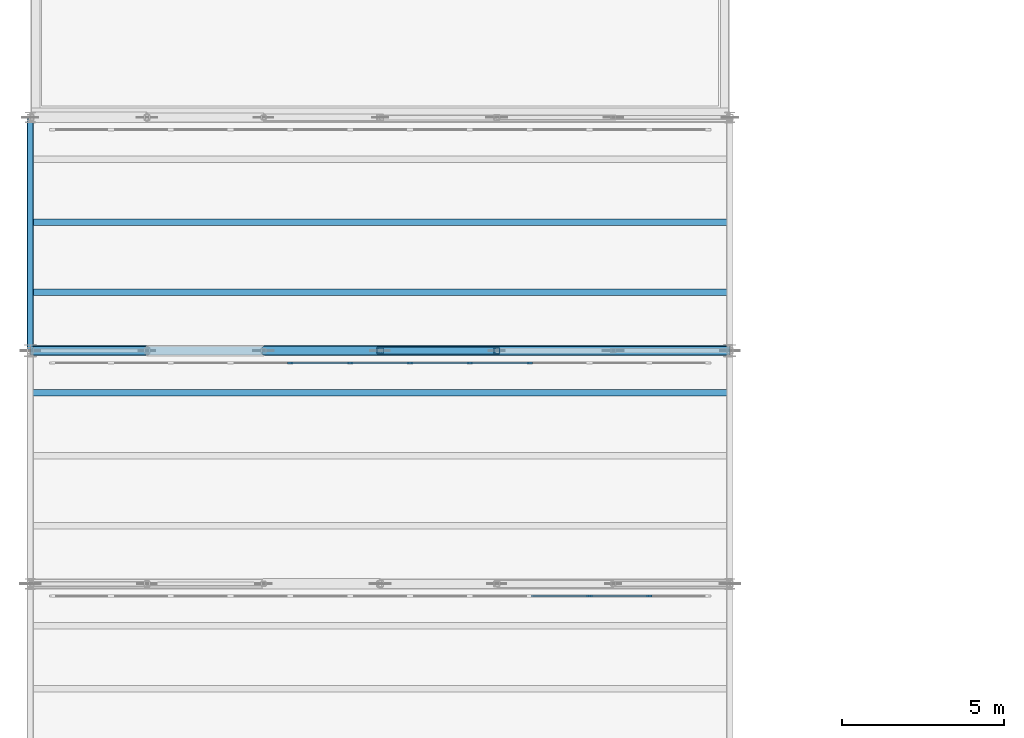
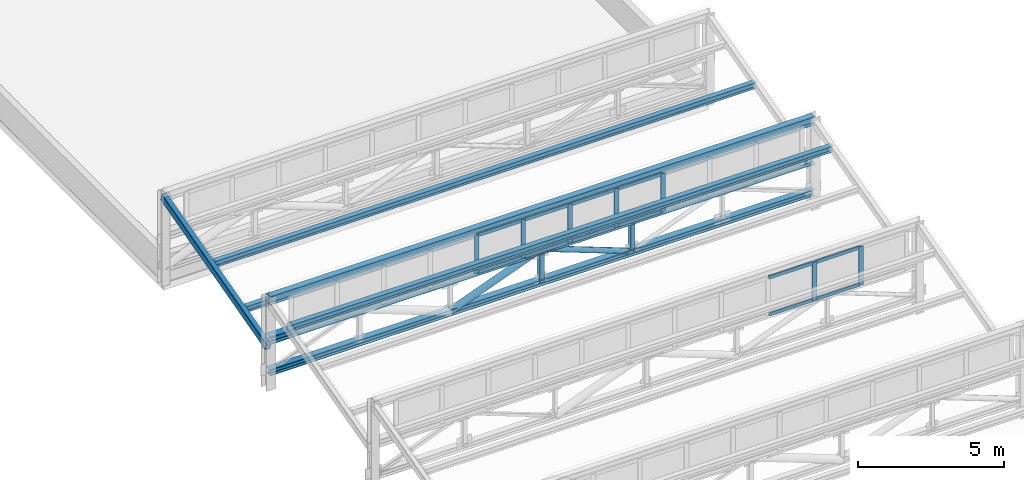
# One storey, part 17 of 55: 25 members, 5 beams, 2 elements without a shape of their own.
"""IFC4 building model written with IfcOpenShell, lengths in metres."""

from ifc_helpers import new_model, si_unit, direction, frame, origin, origin_2d, place, context, subcontext, project, spatial, rectangle, hollow_rectangle, hollow_circle, i_section, extrude, material, layer, layer_set, material_profile, profile_set, type_object, element, aggregate, save


model = new_model("IFC4")

# Units and contexts
model_context = context("Model", 3, precision=1e-05, world=origin(), true_north=direction((0.0, 1.0)))
body_context = subcontext(model_context, "Body", "Model", "MODEL_VIEW")
ifc_project = project(units=[si_unit("LENGTHUNIT", "METRE"), si_unit("AREAUNIT", "SQUARE_METRE"), si_unit("VOLUMEUNIT", "CUBIC_METRE"), si_unit("PLANEANGLEUNIT", "RADIAN"), si_unit("MASSUNIT", "GRAM", prefix="KILO")], contexts=[model_context])

# Site, building, storey
site_placement = place(None, origin())
site = spatial("IfcSite", under=ifc_project, at=site_placement, CompositionType="ELEMENT")
building_placement = place(site_placement, origin())
building = spatial("IfcBuilding", under=site, at=building_placement, Name="Solenvale Faculty of Natural Sciences", CompositionType="ELEMENT")
storey_placement = place(building_placement, frame((0.0, 0.0, 22.5)))
storey = spatial("IfcBuildingStorey", under=building, at=storey_placement, Name="L05", CompositionType="ELEMENT", Elevation=22.5)

# Beams
ifc_material_1 = material(Name="Steel S355", Category="steel")
ifc_material_profile_1 = material_profile(ifc_material_1, i_section(OverallWidth=0.202880859375, OverallDepth=0.251953125, WebThickness=0.008056640625, FlangeThickness=0.013427734375, FilletRadius=0.012939453125, at=origin_2d()), Name="W250x58")
ifc_profile_set_1 = profile_set([ifc_material_profile_1], Name="Steel S355")
beam_type_1 = type_object("IfcBeamType", Name="BM-PRL-W250x58", PredefinedType="JOIST", material=ifc_profile_set_1)
for number, where, z_axis, x_axis, name in (
    (1, (36.0, 56.303955078125, 3.294921875), (1.0, 0.0, 0.0), (0.0, 1.0, 0.0), "V3 Sawtooth Purlin 6.1.3"),
    (2, (36.0, 59.39990234375, 2.19482421875), (1.0, 0.0, 0.0), (0.0, 1.0, 0.0), "V3 Sawtooth Purlin 7.1.1"),
    (3, (36.0, 61.56005859375, 2.773681640625), (1.0, 0.0, 0.0), (0.0, 1.0, 0.0), "V3 Sawtooth Purlin 7.1.2"),
):
    element("IfcBeam", number, at=place(storey_placement, frame(where, z_axis=z_axis, x_axis=x_axis)), inside=storey, type_object=beam_type_1, Name=name, PredefinedType="JOIST", context=body_context, shape_type="SweptSolid", body=[
        extrude(i_section(OverallWidth=0.202880859375, OverallDepth=0.251953125, WebThickness=0.008056640625, FlangeThickness=0.013427734375, FilletRadius=0.012939453125, at=origin_2d()), origin(), (0.0, 0.0, 1.0), 21.60009765625),
    ])
ifc_material_profile_2 = material_profile(ifc_material_1, hollow_rectangle(XDim=0.202880859375, YDim=0.304931640625, WallThickness=0.0126953125, InnerFilletRadius=0.0126953125, OuterFilletRadius=0.025390625, at=origin_2d()), Name="HSS305x203x13")
ifc_profile_set_2 = profile_set([ifc_material_profile_2], Name="Steel S355")
beam_type_2 = type_object("IfcBeamType", Name="BM-RAF-HSS305", PredefinedType="BEAM", material=ifc_profile_set_2)
beam_1_placement = place(storey_placement, frame((36.0, 57.60009765625, 1.719970703125), z_axis=(0.0, 0.965901991803, 0.258907980238), x_axis=(-1.0, 0.0, 0.0)))
element("IfcBeam", 4, at=beam_1_placement, inside=storey, type_object=beam_type_2, Name="V3 Sawtooth End Rafter 7.1.W", PredefinedType="BEAM", context=body_context, shape_type="SweptSolid", body=[
    extrude(hollow_rectangle(XDim=0.202880859375, YDim=0.304931640625, WallThickness=0.0126953125, InnerFilletRadius=0.0126953125, OuterFilletRadius=0.025390625, at=origin_2d()), origin(), (0.0, 0.0, 1.0), 7.4541015625),
])
ifc_material_profile_3 = material_profile(ifc_material_1, i_section(OverallWidth=0.2548828125, OverallDepth=0.35693359375, WebThickness=0.010498046875, FlangeThickness=0.018310546875, FilletRadius=0.014892578125, at=origin_2d()), Name="W360x101")
ifc_profile_set_3 = profile_set([ifc_material_profile_3], Name="Steel S355")
beam_type_3 = type_object("IfcBeamType", Name="BM-STL-W360x101", PredefinedType="JOIST", material=ifc_profile_set_3)
beam_2_placement = place(storey_placement, frame((36.0, 57.60009765625, 3.705078125), z_axis=(1.0, 0.0, 0.0), x_axis=(0.0, 1.0, 0.0)))
element("IfcBeam", 5, at=beam_2_placement, inside=storey, type_object=beam_type_3, Name="V3 Sawtooth Clerestory Ridge Beam 6.1", PredefinedType="JOIST", context=body_context, shape_type="SweptSolid", body=[
    extrude(i_section(OverallWidth=0.2548828125, OverallDepth=0.35693359375, WebThickness=0.010498046875, FlangeThickness=0.018310546875, FilletRadius=0.014892578125, at=origin_2d()), origin(), (0.0, 0.0, 1.0), 21.60009765625),
])

# Curtain wall, members
ifc_material_2 = material(Name="Anodised bronze aluminium", Category="aluminium")
ifc_layer = layer(ifc_material_2, 0.1650390625)
ifc_layer_set = layer_set([ifc_layer], Name="Anodised bronze aluminium")
curtain_wall_type = type_object("IfcCurtainWallType", Name="CW-SAW-CLR", PredefinedType="USERDEFINED", material=ifc_layer_set)
curtain_wall_1_placement = place(storey_placement, origin())
curtain_wall_1 = element("IfcCurtainWall", 6, at=curtain_wall_1_placement, inside=storey, type_object=curtain_wall_type, Name="L05 Curtain Wall SAW-V3-CW-5-1", ObjectType="NORTH LIGHT CLERESTORY", PredefinedType="USERDEFINED")
ifc_material_profile_4 = material_profile(ifc_material_2, rectangle(XDim=0.06494140625, YDim=0.175048828125, at=origin_2d()), Name="ALU-MUL-65x175")
ifc_profile_set_4 = profile_set([ifc_material_profile_4], Name="Anodised bronze aluminium")
member_type_1 = type_object("IfcMemberType", Name="CWM-ALU-65x175", PredefinedType="MULLION", material=ifc_profile_set_4)
member_1_placement = place(storey_placement, frame((55.11279296875, 50.02001953125, 2.22998046875), z_axis=(0.0, 0.0, 1.0), x_axis=(0.0, -1.0, 0.0)))
member_1 = element("IfcMember", 7, at=member_1_placement, type_object=member_type_1, Name="CW-05 mullion 2", PredefinedType="MULLION", context=body_context, shape_type="SweptSolid", body=[
    extrude(rectangle(XDim=0.06494140625, YDim=0.175048828125, at=origin_2d()), origin(), (0.0, 0.0, 1.0), 1.610107421875),
])
member_2_placement = place(storey_placement, frame((53.265380859375, 50.02001953125, 2.22998046875), z_axis=(0.0, 0.0, 1.0), x_axis=(0.0, -1.0, 0.0)))
member_2 = element("IfcMember", 8, at=member_2_placement, type_object=member_type_1, Name="CW-05 mullion 3", PredefinedType="MULLION", context=body_context, shape_type="SweptSolid", body=[
    extrude(rectangle(XDim=0.06494140625, YDim=0.175048828125, at=origin_2d()), origin(), (0.0, 0.0, 1.0), 1.610107421875),
])

curtain_wall_2_placement = place(storey_placement, origin())
curtain_wall_2 = element("IfcCurtainWall", 9, at=curtain_wall_2_placement, inside=storey, type_object=curtain_wall_type, Name="L05 Curtain Wall SAW-V3-CW-6-1", ObjectType="NORTH LIGHT CLERESTORY", PredefinedType="USERDEFINED")
member_3_placement = place(storey_placement, frame((51.418212890625, 57.219970703125, 2.22998046875), z_axis=(0.0, 0.0, 1.0), x_axis=(0.0, -1.0, 0.0)))
member_3 = element("IfcMember", 10, at=member_3_placement, type_object=member_type_1, Name="CW-05 mullion 4", PredefinedType="MULLION", context=body_context, shape_type="SweptSolid", body=[
    extrude(rectangle(XDim=0.06494140625, YDim=0.175048828125, at=origin_2d()), origin(), (0.0, 0.0, 1.0), 1.610107421875),
])
member_4_placement = place(storey_placement, frame((49.57080078125, 57.219970703125, 2.22998046875), z_axis=(0.0, 0.0, 1.0), x_axis=(0.0, -1.0, 0.0)))
member_4 = element("IfcMember", 11, at=member_4_placement, type_object=member_type_1, Name="CW-05 mullion 5", PredefinedType="MULLION", context=body_context, shape_type="SweptSolid", body=[
    extrude(rectangle(XDim=0.06494140625, YDim=0.175048828125, at=origin_2d()), origin(), (0.0, 0.0, 1.0), 1.610107421875),
])
member_5_placement = place(storey_placement, frame((47.7236328125, 57.219970703125, 2.22998046875), z_axis=(0.0, 0.0, 1.0), x_axis=(0.0, -1.0, 0.0)))
member_5 = element("IfcMember", 12, at=member_5_placement, type_object=member_type_1, Name="CW-05 mullion 6", PredefinedType="MULLION", context=body_context, shape_type="SweptSolid", body=[
    extrude(rectangle(XDim=0.06494140625, YDim=0.175048828125, at=origin_2d()), origin(), (0.0, 0.0, 1.0), 1.610107421875),
])
member_6_placement = place(storey_placement, frame((45.87646484375, 57.219970703125, 2.22998046875), z_axis=(0.0, 0.0, 1.0), x_axis=(0.0, -1.0, 0.0)))
member_6 = element("IfcMember", 13, at=member_6_placement, type_object=member_type_1, Name="CW-05 mullion 7", PredefinedType="MULLION", context=body_context, shape_type="SweptSolid", body=[
    extrude(rectangle(XDim=0.06494140625, YDim=0.175048828125, at=origin_2d()), origin(), (0.0, 0.0, 1.0), 1.610107421875),
])
member_7_placement = place(storey_placement, frame((44.029052734375, 57.219970703125, 2.22998046875), z_axis=(0.0, 0.0, 1.0), x_axis=(0.0, -1.0, 0.0)))
member_7 = element("IfcMember", 14, at=member_7_placement, type_object=member_type_1, Name="CW-05 mullion 8", PredefinedType="MULLION", context=body_context, shape_type="SweptSolid", body=[
    extrude(rectangle(XDim=0.06494140625, YDim=0.175048828125, at=origin_2d()), origin(), (0.0, 0.0, 1.0), 1.610107421875),
])

# Member
ifc_material_profile_5 = material_profile(ifc_material_2, rectangle(XDim=0.06494140625, YDim=0.135009765625, at=origin_2d()), Name="ALU-TRN-65x135")
ifc_profile_set_5 = profile_set([ifc_material_profile_5], Name="Anodised bronze aluminium")
member_type_2 = type_object("IfcMemberType", Name="CWT-ALU-65x135", PredefinedType="USERDEFINED", material=ifc_profile_set_5)
member_8_placement = place(storey_placement, frame((55.080322265625, 50.02001953125, 2.262451171875), z_axis=(-1.0, 0.0, 0.0), x_axis=(0.0, -1.0, 0.0)))
member_8 = element("IfcMember", 15, at=member_8_placement, type_object=member_type_2, Name="CW-05 transom 2.1", ObjectType="TRANSOM", PredefinedType="USERDEFINED", context=body_context, shape_type="SweptSolid", body=[
    extrude(rectangle(XDim=0.06494140625, YDim=0.135009765625, at=origin_2d()), origin(), (0.0, 0.0, 1.0), 1.782470703125),
])

member_9_placement = place(storey_placement, frame((55.080322265625, 50.02001953125, 3.8076171875), z_axis=(-1.0, 0.0, 0.0), x_axis=(0.0, -1.0, 0.0)))
member_9 = element("IfcMember", 16, at=member_9_placement, type_object=member_type_2, Name="CW-05 transom 2.2", ObjectType="TRANSOM", PredefinedType="USERDEFINED", context=body_context, shape_type="SweptSolid", body=[
    extrude(rectangle(XDim=0.06494140625, YDim=0.135009765625, at=origin_2d()), origin(), (0.0, 0.0, 1.0), 1.782470703125),
])

member_10_placement = place(storey_placement, frame((53.23291015625, 50.02001953125, 2.262451171875), z_axis=(-1.0, 0.0, 0.0), x_axis=(0.0, -1.0, 0.0)))
member_10 = element("IfcMember", 17, at=member_10_placement, type_object=member_type_2, Name="CW-05 transom 3.1", ObjectType="TRANSOM", PredefinedType="USERDEFINED", context=body_context, shape_type="SweptSolid", body=[
    extrude(rectangle(XDim=0.06494140625, YDim=0.135009765625, at=origin_2d()), origin(), (0.0, 0.0, 1.0), 1.7822265625),
])

member_11_placement = place(storey_placement, frame((53.23291015625, 50.02001953125, 3.8076171875), z_axis=(-1.0, 0.0, 0.0), x_axis=(0.0, -1.0, 0.0)))
member_11 = element("IfcMember", 18, at=member_11_placement, type_object=member_type_2, Name="CW-05 transom 3.2", ObjectType="TRANSOM", PredefinedType="USERDEFINED", context=body_context, shape_type="SweptSolid", body=[
    extrude(rectangle(XDim=0.06494140625, YDim=0.135009765625, at=origin_2d()), origin(), (0.0, 0.0, 1.0), 1.7822265625),
])

aggregate(curtain_wall_1, [member_1, member_2, member_8, member_9, member_10, member_11])

member_12_placement = place(storey_placement, frame((51.3857421875, 57.219970703125, 2.262451171875), z_axis=(-1.0, 0.0, 0.0), x_axis=(0.0, -1.0, 0.0)))
member_12 = element("IfcMember", 19, at=member_12_placement, type_object=member_type_2, Name="CW-05 transom 4.1", ObjectType="TRANSOM", PredefinedType="USERDEFINED", context=body_context, shape_type="SweptSolid", body=[
    extrude(rectangle(XDim=0.06494140625, YDim=0.135009765625, at=origin_2d()), origin(), (0.0, 0.0, 1.0), 1.7822265625),
])

member_13_placement = place(storey_placement, frame((51.3857421875, 57.219970703125, 3.8076171875), z_axis=(-1.0, 0.0, 0.0), x_axis=(0.0, -1.0, 0.0)))
member_13 = element("IfcMember", 20, at=member_13_placement, type_object=member_type_2, Name="CW-05 transom 4.2", ObjectType="TRANSOM", PredefinedType="USERDEFINED", context=body_context, shape_type="SweptSolid", body=[
    extrude(rectangle(XDim=0.06494140625, YDim=0.135009765625, at=origin_2d()), origin(), (0.0, 0.0, 1.0), 1.7822265625),
])

member_14_placement = place(storey_placement, frame((49.538330078125, 57.219970703125, 2.262451171875), z_axis=(-1.0, 0.0, 0.0), x_axis=(0.0, -1.0, 0.0)))
member_14 = element("IfcMember", 21, at=member_14_placement, type_object=member_type_2, Name="CW-05 transom 5.1", ObjectType="TRANSOM", PredefinedType="USERDEFINED", context=body_context, shape_type="SweptSolid", body=[
    extrude(rectangle(XDim=0.06494140625, YDim=0.135009765625, at=origin_2d()), origin(), (0.0, 0.0, 1.0), 1.7822265625),
])

member_15_placement = place(storey_placement, frame((49.538330078125, 57.219970703125, 3.8076171875), z_axis=(-1.0, 0.0, 0.0), x_axis=(0.0, -1.0, 0.0)))
member_15 = element("IfcMember", 22, at=member_15_placement, type_object=member_type_2, Name="CW-05 transom 5.2", ObjectType="TRANSOM", PredefinedType="USERDEFINED", context=body_context, shape_type="SweptSolid", body=[
    extrude(rectangle(XDim=0.06494140625, YDim=0.135009765625, at=origin_2d()), origin(), (0.0, 0.0, 1.0), 1.7822265625),
])

member_16_placement = place(storey_placement, frame((47.691162109375, 57.219970703125, 2.262451171875), z_axis=(-1.0, 0.0, 0.0), x_axis=(0.0, -1.0, 0.0)))
member_16 = element("IfcMember", 23, at=member_16_placement, type_object=member_type_2, Name="CW-05 transom 6.1", ObjectType="TRANSOM", PredefinedType="USERDEFINED", context=body_context, shape_type="SweptSolid", body=[
    extrude(rectangle(XDim=0.06494140625, YDim=0.135009765625, at=origin_2d()), origin(), (0.0, 0.0, 1.0), 1.7822265625),
])

member_17_placement = place(storey_placement, frame((47.691162109375, 57.219970703125, 3.8076171875), z_axis=(-1.0, 0.0, 0.0), x_axis=(0.0, -1.0, 0.0)))
member_17 = element("IfcMember", 24, at=member_17_placement, type_object=member_type_2, Name="CW-05 transom 6.2", ObjectType="TRANSOM", PredefinedType="USERDEFINED", context=body_context, shape_type="SweptSolid", body=[
    extrude(rectangle(XDim=0.06494140625, YDim=0.135009765625, at=origin_2d()), origin(), (0.0, 0.0, 1.0), 1.7822265625),
])

member_18_placement = place(storey_placement, frame((45.84375, 57.219970703125, 2.262451171875), z_axis=(-1.0, 0.0, 0.0), x_axis=(0.0, -1.0, 0.0)))
member_18 = element("IfcMember", 25, at=member_18_placement, type_object=member_type_2, Name="CW-05 transom 7.1", ObjectType="TRANSOM", PredefinedType="USERDEFINED", context=body_context, shape_type="SweptSolid", body=[
    extrude(rectangle(XDim=0.06494140625, YDim=0.135009765625, at=origin_2d()), origin(), (0.0, 0.0, 1.0), 1.7822265625),
])

member_19_placement = place(storey_placement, frame((45.84375, 57.219970703125, 3.8076171875), z_axis=(-1.0, 0.0, 0.0), x_axis=(0.0, -1.0, 0.0)))
member_19 = element("IfcMember", 26, at=member_19_placement, type_object=member_type_2, Name="CW-05 transom 7.2", ObjectType="TRANSOM", PredefinedType="USERDEFINED", context=body_context, shape_type="SweptSolid", body=[
    extrude(rectangle(XDim=0.06494140625, YDim=0.135009765625, at=origin_2d()), origin(), (0.0, 0.0, 1.0), 1.7822265625),
])

aggregate(curtain_wall_2, [member_3, member_4, member_5, member_6, member_7, member_12, member_13, member_14, member_15, member_16, member_17, member_18, member_19])

# Members
ifc_material_profile_6 = material_profile(ifc_material_1, hollow_circle(Radius=0.109619140625, WallThickness=0.009521484375, at=origin_2d()), Name="HSS219x9.5")
ifc_profile_set_6 = profile_set([ifc_material_profile_6], Name="Steel S355")
member_type_3 = type_object("IfcMemberType", Name="MB-BRC-CHS219", PredefinedType="BRACE", material=ifc_profile_set_6)
member_20_placement = place(storey_placement, frame((46.800048828125, 57.60009765625, 2.050048828125), z_axis=(0.935458110384, 0.0, -0.353437581075), x_axis=(0.0, 1.0, 0.0)))
element("IfcMember", 27, at=member_20_placement, inside=storey, type_object=member_type_3, Name="V3 Truss 6.1 Diagonal 4", PredefinedType="BRACE", context=body_context, shape_type="SweptSolid", body=[
    extrude(hollow_circle(Radius=0.109619140625, WallThickness=0.009521484375, at=origin_2d()), origin(), (0.0, 0.0, 1.0), 3.84814453125),
])
ifc_material_profile_7 = material_profile(ifc_material_1, hollow_circle(Radius=0.136474609375, WallThickness=0.010986328125, at=origin_2d()), Name="HSS273x11")
ifc_profile_set_7 = profile_set([ifc_material_profile_7], Name="Steel S355")
member_type_4 = type_object("IfcMemberType", Name="MB-BRC-CHS273", PredefinedType="BRACE", material=ifc_profile_set_7)
member_21_placement = place(storey_placement, frame((43.199951171875, 57.60009765625, 0.68994140625), z_axis=(0.935466034784, 0.0, 0.353416606522), x_axis=(0.0, 1.0, 0.0)))
element("IfcMember", 28, at=member_21_placement, inside=storey, type_object=member_type_4, Name="V3 Truss 6.1 Diagonal 3", PredefinedType="BRACE", context=body_context, shape_type="SweptSolid", body=[
    extrude(hollow_circle(Radius=0.136474609375, WallThickness=0.010986328125, at=origin_2d()), origin(), (0.0, 0.0, 1.0), 3.848388671875),
])
ifc_material_profile_8 = material_profile(ifc_material_1, i_section(OverallWidth=0.256103515625, OverallDepth=0.260009765625, WebThickness=0.0107421875, FlangeThickness=0.017333984375, FilletRadius=0.012939453125, at=origin_2d()), Name="W250x89")
ifc_profile_set_8 = profile_set([ifc_material_profile_8], Name="Steel S355")
member_type_5 = type_object("IfcMemberType", Name="MB-CHD-W250x89", PredefinedType="CHORD", material=ifc_profile_set_8)
member_22_placement = place(storey_placement, frame((36.0, 57.60009765625, 0.68994140625), z_axis=(1.0, 0.0, 0.0), x_axis=(0.0, 1.0, 0.0)))
element("IfcMember", 29, at=member_22_placement, inside=storey, type_object=member_type_5, Name="V3 Truss 6.1 Bottom Chord", PredefinedType="CHORD", context=body_context, shape_type="SweptSolid", body=[
    extrude(i_section(OverallWidth=0.256103515625, OverallDepth=0.260009765625, WebThickness=0.0107421875, FlangeThickness=0.017333984375, FilletRadius=0.012939453125, at=origin_2d()), origin(), (0.0, 0.0, 1.0), 21.60009765625),
])
ifc_material_profile_9 = material_profile(ifc_material_1, i_section(OverallWidth=0.304931640625, OverallDepth=0.30810546875, WebThickness=0.010009765625, FlangeThickness=0.015380859375, FilletRadius=0.014892578125, at=origin_2d()), Name="W310x97")
ifc_profile_set_9 = profile_set([ifc_material_profile_9], Name="Steel S355")
member_type_6 = type_object("IfcMemberType", Name="MB-CHD-W310x97", PredefinedType="CHORD", material=ifc_profile_set_9)
member_23_placement = place(storey_placement, frame((36.0, 57.60009765625, 2.050048828125), z_axis=(1.0, 0.0, 0.0), x_axis=(0.0, 1.0, 0.0)))
element("IfcMember", 30, at=member_23_placement, inside=storey, type_object=member_type_6, Name="V3 Truss 6.1 Top Chord", PredefinedType="CHORD", context=body_context, shape_type="SweptSolid", body=[
    extrude(i_section(OverallWidth=0.304931640625, OverallDepth=0.30810546875, WebThickness=0.010009765625, FlangeThickness=0.015380859375, FilletRadius=0.014892578125, at=origin_2d()), origin(), (0.0, 0.0, 1.0), 21.60009765625),
])
ifc_material_profile_10 = material_profile(ifc_material_1, hollow_rectangle(XDim=0.177978515625, YDim=0.177978515625, WallThickness=0.009521484375, InnerFilletRadius=0.009521484375, OuterFilletRadius=0.01904296875, at=origin_2d()), Name="HSS178x178x9.5")
ifc_profile_set_10 = profile_set([ifc_material_profile_10], Name="Steel S355")
member_type_7 = type_object("IfcMemberType", Name="MB-STR-HSS178", PredefinedType="STRUT", material=ifc_profile_set_10)
member_24_placement = place(storey_placement, frame((50.39990234375, 57.60009765625, 0.68994140625), z_axis=(0.0, 0.0, 1.0), x_axis=(1.0, 0.0, 0.0)))
element("IfcMember", 31, at=member_24_placement, inside=storey, type_object=member_type_7, Name="V3 Truss 6.1 Strut 4", PredefinedType="STRUT", context=body_context, shape_type="SweptSolid", body=[
    extrude(hollow_rectangle(XDim=0.177978515625, YDim=0.177978515625, WallThickness=0.009521484375, InnerFilletRadius=0.009521484375, OuterFilletRadius=0.01904296875, at=origin_2d()), origin(), (0.0, 0.0, 1.0), 1.360107421875),
])
ifc_material_profile_11 = material_profile(ifc_material_1, hollow_rectangle(XDim=0.202880859375, YDim=0.202880859375, WallThickness=0.0126953125, InnerFilletRadius=0.0126953125, OuterFilletRadius=0.025390625, at=origin_2d()), Name="HSS203x203x13")
ifc_profile_set_11 = profile_set([ifc_material_profile_11], Name="Steel S355")
member_type_8 = type_object("IfcMemberType", Name="MB-STR-HSS203", PredefinedType="STRUT", material=ifc_profile_set_11)
member_25_placement = place(storey_placement, frame((46.800048828125, 57.60009765625, 0.68994140625), z_axis=(0.0, 0.0, 1.0), x_axis=(1.0, 0.0, 0.0)))
element("IfcMember", 32, at=member_25_placement, inside=storey, type_object=member_type_8, Name="V3 Truss 6.1 Strut 3", PredefinedType="STRUT", context=body_context, shape_type="SweptSolid", body=[
    extrude(hollow_rectangle(XDim=0.202880859375, YDim=0.202880859375, WallThickness=0.0126953125, InnerFilletRadius=0.0126953125, OuterFilletRadius=0.025390625, at=origin_2d()), origin(), (0.0, 0.0, 1.0), 1.360107421875),
])

save(model, "model.ifc")
